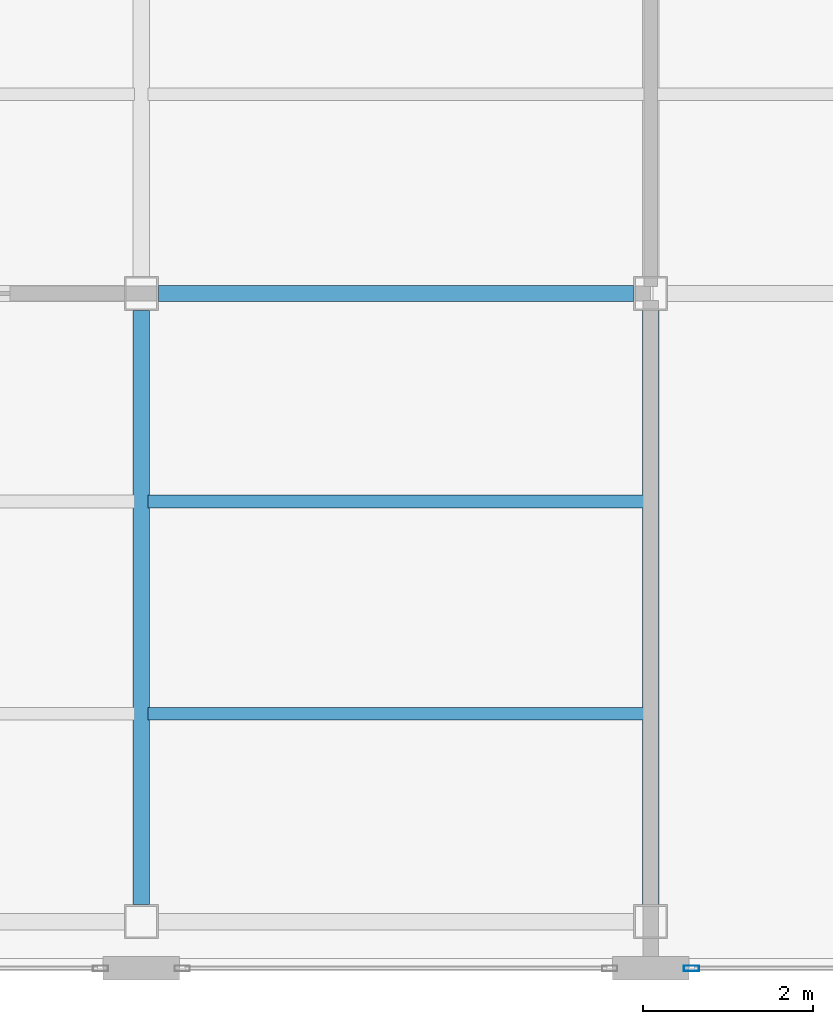
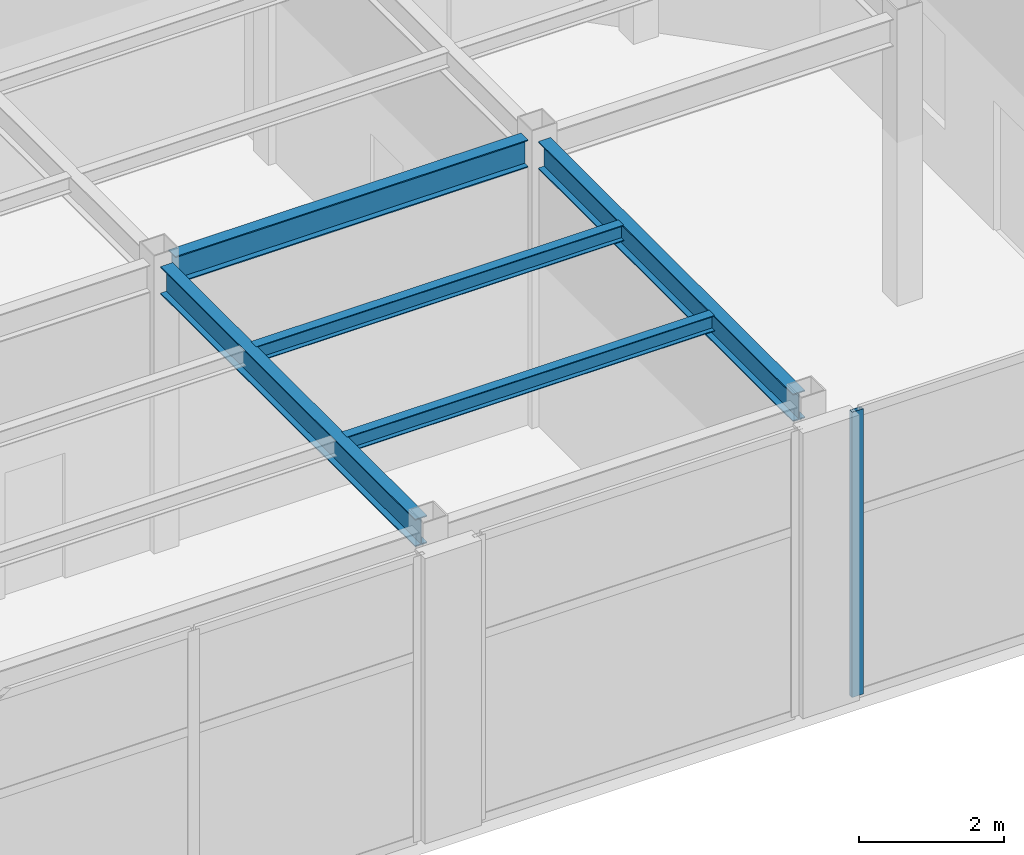
# One storey, part 5 of 14: 5 beams, 1 member, 1 element without a shape of its own.
"""IFC4 building model written with IfcOpenShell, lengths in metres."""

import ifcopenshell
import ifcopenshell.guid

model = None  # the IFC model being written
_history = None  # IfcOwnerHistory: only IFC2X3 demands one
_inside = {}  # id of a spatial element -> (the spatial element, [elements in it])
_under = {}  # id of a project, library or spatial element -> (it, [spatial elements below it])
_declared = {}  # id of a project -> (the project, [libraries it declares])
_typed = {}  # id of a type object -> (the type object, [elements of that type])
_made_of = {}  # id of a material, layer set ... -> (it, [elements and type objects made of it])


def new_model(schema):
    """Start an empty IFC model of exactly this schema.

    Asked for "IFC4X3", IfcOpenShell would pick the latest addendum, in which some entities
    have other attributes; the version numbers below select the first issue.
    IFC2X3 requires an IfcOwnerHistory on every rooted entity: one is made here for all.
    """
    global model, _history
    if schema == "IFC4X3":
        model = ifcopenshell.file(schema_version=(4, 3, 0, 0))
    else:
        model = ifcopenshell.file(schema=schema)
    _inside.clear()
    _under.clear()
    _declared.clear()
    _typed.clear()
    _made_of.clear()
    _history = None
    if model.schema == "IFC2X3":
        org = make("IfcOrganization", Name="unknown")
        user = make(
            "IfcPersonAndOrganization",
            ThePerson=make("IfcPerson", FamilyName="unknown"),
            TheOrganization=org,
        )
        app = make(
            "IfcApplication",
            ApplicationDeveloper=org,
            Version="unknown",
            ApplicationFullName="unknown",
            ApplicationIdentifier="unknown",
        )
        _history = make(
            "IfcOwnerHistory",
            OwningUser=user,
            OwningApplication=app,
            ChangeAction="ADDED",
            CreationDate=0,
        )
    return model


def make(cls, **values):
    """One entity of the class cls with the attributes given. An attribute that is None is left unset."""
    return model.create_entity(
        cls, **{name: value for name, value in values.items() if value is not None}
    )


def rooted(cls, **values):
    """An entity with a GlobalId (a new one), such as an element, a storey or a relation."""
    return make(cls, GlobalId=ifcopenshell.guid.new(), OwnerHistory=_history, **values)


def si_unit(unit_type, name, prefix=None):
    """IfcSIUnit, for example si_unit("LENGTHUNIT", "METRE", prefix="MILLI")."""
    return make("IfcSIUnit", UnitType=unit_type, Prefix=prefix, Name=name)


def assignment(units):
    """IfcUnitAssignment: the units of a project."""
    return None if units is None else make("IfcUnitAssignment", Units=units)


def point(xyz):
    """IfcCartesianPoint."""
    return None if xyz is None else make("IfcCartesianPoint", Coordinates=xyz)


def direction(xyz):
    """IfcDirection."""
    return None if xyz is None else make("IfcDirection", DirectionRatios=xyz)


def frame(location, z_axis=None, x_axis=None):
    """IfcAxis2Placement3D, a coordinate frame: its origin and axes. An axis left out is left unset."""
    return make(
        "IfcAxis2Placement3D",
        Location=point(location),
        Axis=direction(z_axis),
        RefDirection=direction(x_axis),
    )


def frame_2d(location, x_axis=None):
    """IfcAxis2Placement2D, a coordinate frame in the plane: its origin and x axis."""
    return make(
        "IfcAxis2Placement2D", Location=point(location), RefDirection=direction(x_axis)
    )


def origin():
    """The frame at (0, 0, 0) with its axes left unset."""
    return frame((0.0, 0.0, 0.0))


def origin_2d():
    """The frame at (0, 0) in the plane with its x axis left unset."""
    return frame_2d((0.0, 0.0))


def place(relative_to, where):
    """IfcLocalPlacement: puts the frame where relative to a parent placement (None: the world)."""
    return make(
        "IfcLocalPlacement", PlacementRelTo=relative_to, RelativePlacement=where
    )


def context(
    kind, dimensions, precision=None, world=None, true_north=None, identifier=None
):
    """IfcGeometricRepresentationContext, for example the 3D "Model" context."""
    return make(
        "IfcGeometricRepresentationContext",
        ContextIdentifier=identifier,
        ContextType=kind,
        CoordinateSpaceDimension=dimensions,
        Precision=precision,
        WorldCoordinateSystem=world,
        TrueNorth=true_north,
    )


def subcontext(parent, identifier, kind, view, scale=None):
    """IfcGeometricRepresentationSubContext, for example "Body" below "Model"."""
    return make(
        "IfcGeometricRepresentationSubContext",
        ContextIdentifier=identifier,
        ContextType=kind,
        ParentContext=parent,
        TargetScale=scale,
        TargetView=view,
    )


def project(units=None, contexts=None):
    """IfcProject with its units and contexts."""
    return rooted(
        "IfcProject",
        Name="project",
        RepresentationContexts=contexts,
        UnitsInContext=assignment(units),
    )


def spatial(cls, under=None, at=None, **own):
    """A site, building, storey or space (cls), placed at a placement, below another one or the project."""
    s = rooted(cls, ObjectPlacement=at, **own)
    if under is not None:
        _under.setdefault(under.id(), (under, []))[1].append(s)
    return s


def profile(cls, at=None, kind="AREA", **sizes):
    """A parametric profile (cls). Its sizes go by their IFC names, for example OverallWidth=200.0."""
    return make(cls, ProfileType=kind, Position=at, **sizes)


def hollow_rectangle(**sizes):
    """IfcRectangleHollowProfileDef."""
    return profile("IfcRectangleHollowProfileDef", **sizes)


def i_section(**sizes):
    """IfcIShapeProfileDef."""
    return profile("IfcIShapeProfileDef", **sizes)


def extrude(swept, where, along, depth):
    """IfcExtrudedAreaSolid: the profile swept, set in the frame where, extruded along a direction by depth."""
    return make(
        "IfcExtrudedAreaSolid",
        SweptArea=swept,
        Position=where,
        ExtrudedDirection=direction(along),
        Depth=depth,
    )


def shape(context_of_items, identifier, shape_type, items):
    """IfcShapeRepresentation: the items that make up one representation, for example the "Body"."""
    return make(
        "IfcShapeRepresentation",
        ContextOfItems=context_of_items,
        RepresentationIdentifier=identifier,
        RepresentationType=shape_type,
        Items=items,
    )


def material(Name=None, Category=None):
    """IfcMaterial."""
    return make("IfcMaterial", Name=Name, Category=Category)


def layer(
    of_material, thickness, ventilated=None, Name=None, Category=None, Priority=None
):
    """IfcMaterialLayer: one layer of a wall or slab, of a material (None: an air gap)."""
    return make(
        "IfcMaterialLayer",
        Material=of_material,
        LayerThickness=thickness,
        IsVentilated=ventilated,
        Name=Name,
        Category=Category,
        Priority=Priority,
    )


def layer_set(layers, Name=None):
    """IfcMaterialLayerSet."""
    return make("IfcMaterialLayerSet", MaterialLayers=layers, LayerSetName=Name)


def material_profile(
    of_material, cross_section, Name=None, Category=None, Priority=None
):
    """IfcMaterialProfile: a cross section and its material."""
    return make(
        "IfcMaterialProfile",
        Name=Name,
        Material=of_material,
        Profile=cross_section,
        Priority=Priority,
        Category=Category,
    )


def profile_set(profiles, Name=None, composite=None):
    """IfcMaterialProfileSet."""
    return make(
        "IfcMaterialProfileSet",
        Name=Name,
        MaterialProfiles=profiles,
        CompositeProfile=composite,
    )


def made_of(thing, what):
    """Note that an element or type object is made of a material, layer set ...; save() writes the relation."""
    if what is not None:
        _made_of.setdefault(what.id(), (what, []))[1].append(thing)
    return thing


def type_object(cls, material=None, **own):
    """A type object (cls), such as IfcWallType, which elements share."""
    return made_of(rooted(cls, **own), material)


def element(
    cls,
    number,
    at=None,
    inside=None,
    cuts=None,
    type_object=None,
    material=None,
    context=None,
    identifier="Body",
    shape_type=None,
    held_by="IfcProductDefinitionShape",
    body=None,
    shapes=None,
    **own,
):
    """One element of the class cls, such as IfcWall. Its Tag is "e" and its number.

    at: its placement. inside: the storey or other place that contains it. cuts: it is an
    opening in that element (IfcRelVoidsElement). A single representation is given by context,
    identifier, shape_type and body (its items); several are given by shapes. held_by: the class
    of the entity that holds the representations. save() writes the other relations.
    """
    e = rooted(cls, Tag="e%d" % number, ObjectPlacement=at, **own)
    if body is not None:
        shapes = [shape(context, identifier, shape_type, body)]
    if shapes is not None:
        e.Representation = make(held_by, Representations=shapes)
    if inside is not None:
        _inside.setdefault(inside.id(), (inside, []))[1].append(e)
    if cuts is not None:
        rooted(
            "IfcRelVoidsElement", RelatingBuildingElement=cuts, RelatedOpeningElement=e
        )
    if type_object is not None:
        _typed.setdefault(type_object.id(), (type_object, []))[1].append(e)
    return made_of(e, material)


def aggregate(whole, parts):
    """IfcRelAggregates: a whole, such as a stair, and the parts it consists of."""
    return rooted("IfcRelAggregates", RelatingObject=whole, RelatedObjects=parts)


def save(model, path):
    """Write the relations noted so far, then the file.

    IfcRelAggregates (storeys below a building ...), IfcRelContainedInSpatialStructure (elements
    in a storey), IfcRelDefinesByType, IfcRelAssociatesMaterial and IfcRelDeclares: one each for
    every whole, place, type object, material and project.
    """
    for whole, parts in _under.values():
        aggregate(whole, parts)
    for where, things in _inside.values():
        rooted(
            "IfcRelContainedInSpatialStructure",
            RelatedElements=things,
            RelatingStructure=where,
        )
    for kind, things in _typed.values():
        rooted("IfcRelDefinesByType", RelatedObjects=things, RelatingType=kind)
    for what, things in _made_of.values():
        rooted("IfcRelAssociatesMaterial", RelatedObjects=things, RelatingMaterial=what)
    for by, libraries in _declared.values():
        rooted("IfcRelDeclares", RelatingContext=by, RelatedDefinitions=libraries)
    model.write(path)


model = new_model("IFC4")

# Units and contexts
model_context = context("Model", 3, precision=1e-05, world=origin(), true_north=direction((0.0, 1.0)))
body_context = subcontext(model_context, "Body", "Model", "MODEL_VIEW")
ifc_project = project(units=[si_unit("LENGTHUNIT", "METRE"), si_unit("AREAUNIT", "SQUARE_METRE"), si_unit("VOLUMEUNIT", "CUBIC_METRE"), si_unit("PLANEANGLEUNIT", "RADIAN"), si_unit("MASSUNIT", "GRAM", prefix="KILO")], contexts=[model_context])

# Site, building, storey
site_placement = place(None, origin())
site = spatial("IfcSite", under=ifc_project, at=site_placement, CompositionType="ELEMENT")
building_placement = place(site_placement, origin())
building = spatial("IfcBuilding", under=site, at=building_placement, Name="Mawjaban Terraces University", CompositionType="ELEMENT")
storey_placement = place(building_placement, frame((0.0, 0.0, 243.199951171875)))
storey = spatial("IfcBuildingStorey", under=building, at=storey_placement, Name="L59", CompositionType="ELEMENT", Elevation=243.199951171875)

# Beams
ifc_material_1 = material(Name="Steel ASTM A572 Grade 50", Category="steel")
ifc_material_profile_1 = material_profile(ifc_material_1, i_section(OverallWidth=0.19189453125, OverallDepth=0.462890625, WebThickness=0.010498046875, FlangeThickness=0.017578125, at=origin_2d()), Name="W460X89")
ifc_profile_set_1 = profile_set([ifc_material_profile_1], Name="Steel ASTM A572 Grade 50")
beam_type_1 = type_object("IfcBeamType", Name="Beam_B_W460X89", PredefinedType="BEAM", material=ifc_profile_set_1)
beam_placement = place(storey_placement, frame((46.199951171875, 7.949951171875, 4.55810546875), z_axis=(1.0, 0.0, 0.0), x_axis=(0.0, 1.0, 0.0)))
element("IfcBeam", 1, at=beam_placement, inside=storey, type_object=beam_type_1, Name="L59 Beam BM-L59-EW-04", PredefinedType="BEAM", context=body_context, shape_type="SweptSolid", body=[
    extrude(i_section(OverallWidth=0.19189453125, OverallDepth=0.462890625, WebThickness=0.010498046875, FlangeThickness=0.017578125, at=origin_2d()), origin(), (0.0, 0.0, 1.0), 5.60009765625),
])
for number, where, z_axis, x_axis, name in (
    (2, (46.0, 0.75, 4.55810546875), (0.0, 1.0, 0.0), (-1.0, 0.0, 0.0), "L59 Beam BM-L59-NS-08"),
    (3, (52.0, 0.75, 4.55810546875), (0.0, 1.0, 0.0), (-1.0, 0.0, 0.0), "L59 Beam BM-L59-NS-10"),
):
    element("IfcBeam", number, at=place(storey_placement, frame(where, z_axis=z_axis, x_axis=x_axis)), inside=storey, type_object=beam_type_1, Name=name, PredefinedType="BEAM", context=body_context, shape_type="SweptSolid", body=[
        extrude(i_section(OverallWidth=0.19189453125, OverallDepth=0.462890625, WebThickness=0.010498046875, FlangeThickness=0.017578125, at=origin_2d()), origin(), (0.0, 0.0, 1.0), 7.0),
    ])
ifc_material_profile_2 = material_profile(ifc_material_1, i_section(OverallWidth=0.14794921875, OverallDepth=0.26611328125, WebThickness=0.007568359375, FlangeThickness=0.012939453125, at=origin_2d()), Name="W250X45")
ifc_profile_set_2 = profile_set([ifc_material_profile_2], Name="Steel ASTM A572 Grade 50")
beam_type_2 = type_object("IfcBeamType", Name="Beam_J_W250X45", PredefinedType="JOIST", material=ifc_profile_set_2)
for number, where, z_axis, x_axis, name in (
    (4, (46.080078125, 3.0, 4.656982421875), (1.0, 0.0, 0.0), (0.0, 1.0, 0.0), "L59 Composite Joist JST-L59-02"),
    (5, (46.080078125, 5.5, 4.656982421875), (1.0, 0.0, 0.0), (0.0, 1.0, 0.0), "L59 Composite Joist JST-L59-04"),
):
    element("IfcBeam", number, at=place(storey_placement, frame(where, z_axis=z_axis, x_axis=x_axis)), inside=storey, type_object=beam_type_2, Name=name, PredefinedType="JOIST", context=body_context, shape_type="SweptSolid", body=[
        extrude(i_section(OverallWidth=0.14794921875, OverallDepth=0.26611328125, WebThickness=0.007568359375, FlangeThickness=0.012939453125, at=origin_2d()), origin(), (0.0, 0.0, 1.0), 5.83984375),
    ])

# Curtain wall, member
ifc_material_2 = material(Name="Anodised aluminium 6063-T6 and solar-control low-E glass", Category="aluminium")
ifc_layer = layer(ifc_material_2, 0.18994140625)
ifc_layer_set = layer_set([ifc_layer], Name="Anodised aluminium 6063-T6 and solar-control low-E glass")
curtain_wall_type = type_object("IfcCurtainWallType", Name="CWSystem_05_SkyLobby", PredefinedType="NOTDEFINED", material=ifc_layer_set)
curtain_wall_placement = place(storey_placement, origin())
curtain_wall = element("IfcCurtainWall", 6, at=curtain_wall_placement, inside=storey, type_object=curtain_wall_type, Name="L59 Curtain Wall CW-05 Run 1.5", PredefinedType="NOTDEFINED")
ifc_material_3 = material(Name="Anodised aluminium 6063-T6", Category="aluminium")
ifc_material_profile_3 = material_profile(ifc_material_3, hollow_rectangle(XDim=0.06494140625, YDim=0.179931640625, WallThickness=0.00390625, at=origin_2d()), Name="ALU180X65X4")
ifc_profile_set_3 = profile_set([ifc_material_profile_3], Name="Anodised aluminium 6063-T6")
member_type = type_object("IfcMemberType", Name="Mullion_CW-05", PredefinedType="MULLION", material=ifc_profile_set_3)
member_placement = place(storey_placement, frame((52.482421875, 0.0, 0.0), z_axis=(0.0, 0.0, 1.0), x_axis=(0.0, 1.0, 0.0)))
member = element("IfcMember", 7, at=member_placement, type_object=member_type, Name="CW-05 mullion 1", PredefinedType="MULLION", context=body_context, shape_type="SweptSolid", body=[
    extrude(hollow_rectangle(XDim=0.06494140625, YDim=0.179931640625, WallThickness=0.00390625, at=origin_2d()), origin(), (0.0, 0.0, 1.0), 4.7900390625),
])
aggregate(curtain_wall, [member])

save(model, "model.ifc")
